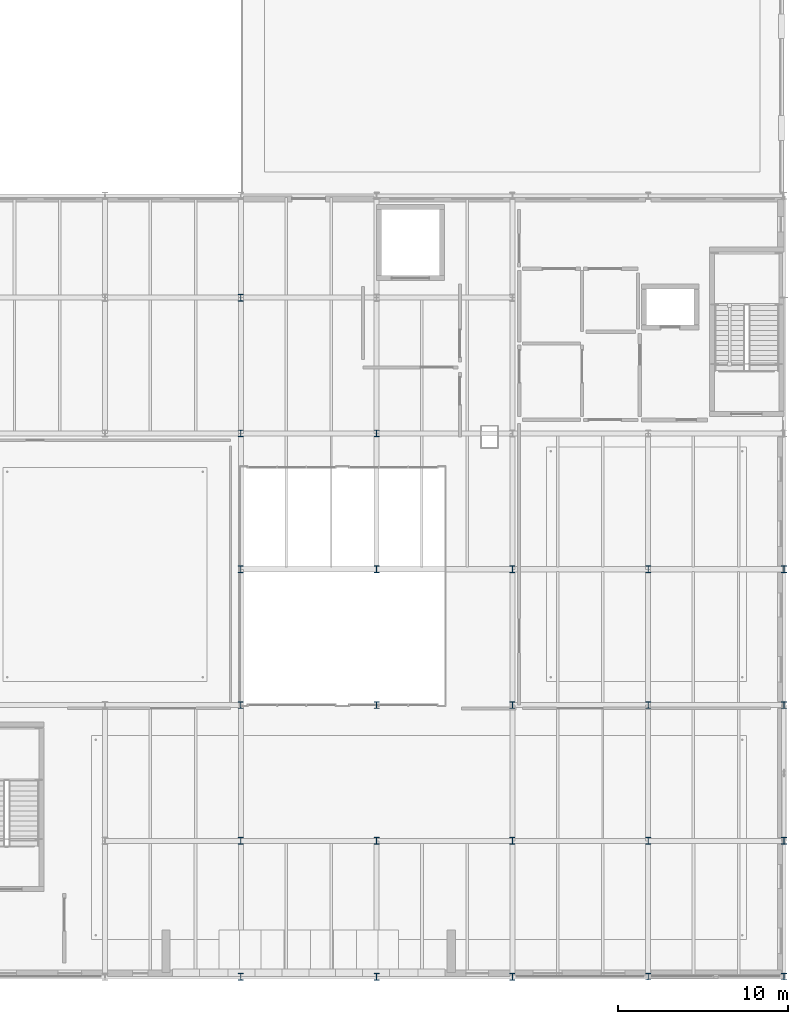
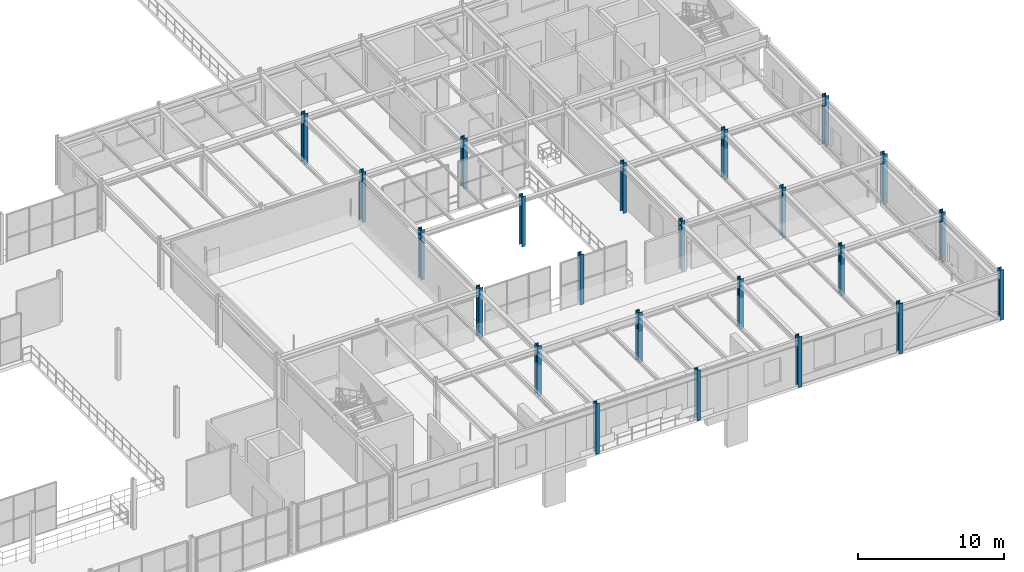
# One storey, part 10 of 67: 23 columns.
"""IFC4 building model written with IfcOpenShell, lengths in metres."""

import ifcopenshell
import ifcopenshell.guid

model = None  # the IFC model being written
_history = None  # IfcOwnerHistory: only IFC2X3 demands one
_inside = {}  # id of a spatial element -> (the spatial element, [elements in it])
_under = {}  # id of a project, library or spatial element -> (it, [spatial elements below it])
_declared = {}  # id of a project -> (the project, [libraries it declares])
_typed = {}  # id of a type object -> (the type object, [elements of that type])
_made_of = {}  # id of a material, layer set ... -> (it, [elements and type objects made of it])


def new_model(schema):
    """Start an empty IFC model of exactly this schema.

    Asked for "IFC4X3", IfcOpenShell would pick the latest addendum, in which some entities
    have other attributes; the version numbers below select the first issue.
    IFC2X3 requires an IfcOwnerHistory on every rooted entity: one is made here for all.
    """
    global model, _history
    if schema == "IFC4X3":
        model = ifcopenshell.file(schema_version=(4, 3, 0, 0))
    else:
        model = ifcopenshell.file(schema=schema)
    _inside.clear()
    _under.clear()
    _declared.clear()
    _typed.clear()
    _made_of.clear()
    _history = None
    if model.schema == "IFC2X3":
        org = make("IfcOrganization", Name="unknown")
        user = make(
            "IfcPersonAndOrganization",
            ThePerson=make("IfcPerson", FamilyName="unknown"),
            TheOrganization=org,
        )
        app = make(
            "IfcApplication",
            ApplicationDeveloper=org,
            Version="unknown",
            ApplicationFullName="unknown",
            ApplicationIdentifier="unknown",
        )
        _history = make(
            "IfcOwnerHistory",
            OwningUser=user,
            OwningApplication=app,
            ChangeAction="ADDED",
            CreationDate=0,
        )
    return model


def make(cls, **values):
    """One entity of the class cls with the attributes given. An attribute that is None is left unset."""
    return model.create_entity(
        cls, **{name: value for name, value in values.items() if value is not None}
    )


def rooted(cls, **values):
    """An entity with a GlobalId (a new one), such as an element, a storey or a relation."""
    return make(cls, GlobalId=ifcopenshell.guid.new(), OwnerHistory=_history, **values)


def si_unit(unit_type, name, prefix=None):
    """IfcSIUnit, for example si_unit("LENGTHUNIT", "METRE", prefix="MILLI")."""
    return make("IfcSIUnit", UnitType=unit_type, Prefix=prefix, Name=name)


def assignment(units):
    """IfcUnitAssignment: the units of a project."""
    return None if units is None else make("IfcUnitAssignment", Units=units)


def point(xyz):
    """IfcCartesianPoint."""
    return None if xyz is None else make("IfcCartesianPoint", Coordinates=xyz)


def direction(xyz):
    """IfcDirection."""
    return None if xyz is None else make("IfcDirection", DirectionRatios=xyz)


def frame(location, z_axis=None, x_axis=None):
    """IfcAxis2Placement3D, a coordinate frame: its origin and axes. An axis left out is left unset."""
    return make(
        "IfcAxis2Placement3D",
        Location=point(location),
        Axis=direction(z_axis),
        RefDirection=direction(x_axis),
    )


def frame_2d(location, x_axis=None):
    """IfcAxis2Placement2D, a coordinate frame in the plane: its origin and x axis."""
    return make(
        "IfcAxis2Placement2D", Location=point(location), RefDirection=direction(x_axis)
    )


def origin():
    """The frame at (0, 0, 0) with its axes left unset."""
    return frame((0.0, 0.0, 0.0))


def origin_2d():
    """The frame at (0, 0) in the plane with its x axis left unset."""
    return frame_2d((0.0, 0.0))


def place(relative_to, where):
    """IfcLocalPlacement: puts the frame where relative to a parent placement (None: the world)."""
    return make(
        "IfcLocalPlacement", PlacementRelTo=relative_to, RelativePlacement=where
    )


def context(
    kind, dimensions, precision=None, world=None, true_north=None, identifier=None
):
    """IfcGeometricRepresentationContext, for example the 3D "Model" context."""
    return make(
        "IfcGeometricRepresentationContext",
        ContextIdentifier=identifier,
        ContextType=kind,
        CoordinateSpaceDimension=dimensions,
        Precision=precision,
        WorldCoordinateSystem=world,
        TrueNorth=true_north,
    )


def subcontext(parent, identifier, kind, view, scale=None):
    """IfcGeometricRepresentationSubContext, for example "Body" below "Model"."""
    return make(
        "IfcGeometricRepresentationSubContext",
        ContextIdentifier=identifier,
        ContextType=kind,
        ParentContext=parent,
        TargetScale=scale,
        TargetView=view,
    )


def project(units=None, contexts=None):
    """IfcProject with its units and contexts."""
    return rooted(
        "IfcProject",
        Name="project",
        RepresentationContexts=contexts,
        UnitsInContext=assignment(units),
    )


def spatial(cls, under=None, at=None, **own):
    """A site, building, storey or space (cls), placed at a placement, below another one or the project."""
    s = rooted(cls, ObjectPlacement=at, **own)
    if under is not None:
        _under.setdefault(under.id(), (under, []))[1].append(s)
    return s


def profile(cls, at=None, kind="AREA", **sizes):
    """A parametric profile (cls). Its sizes go by their IFC names, for example OverallWidth=200.0."""
    return make(cls, ProfileType=kind, Position=at, **sizes)


def i_section(**sizes):
    """IfcIShapeProfileDef."""
    return profile("IfcIShapeProfileDef", **sizes)


def extrude(swept, where, along, depth):
    """IfcExtrudedAreaSolid: the profile swept, set in the frame where, extruded along a direction by depth."""
    return make(
        "IfcExtrudedAreaSolid",
        SweptArea=swept,
        Position=where,
        ExtrudedDirection=direction(along),
        Depth=depth,
    )


def shape(context_of_items, identifier, shape_type, items):
    """IfcShapeRepresentation: the items that make up one representation, for example the "Body"."""
    return make(
        "IfcShapeRepresentation",
        ContextOfItems=context_of_items,
        RepresentationIdentifier=identifier,
        RepresentationType=shape_type,
        Items=items,
    )


def material(Name=None, Category=None):
    """IfcMaterial."""
    return make("IfcMaterial", Name=Name, Category=Category)


def material_profile(
    of_material, cross_section, Name=None, Category=None, Priority=None
):
    """IfcMaterialProfile: a cross section and its material."""
    return make(
        "IfcMaterialProfile",
        Name=Name,
        Material=of_material,
        Profile=cross_section,
        Priority=Priority,
        Category=Category,
    )


def profile_set(profiles, Name=None, composite=None):
    """IfcMaterialProfileSet."""
    return make(
        "IfcMaterialProfileSet",
        Name=Name,
        MaterialProfiles=profiles,
        CompositeProfile=composite,
    )


def made_of(thing, what):
    """Note that an element or type object is made of a material, layer set ...; save() writes the relation."""
    if what is not None:
        _made_of.setdefault(what.id(), (what, []))[1].append(thing)
    return thing


def type_object(cls, material=None, **own):
    """A type object (cls), such as IfcWallType, which elements share."""
    return made_of(rooted(cls, **own), material)


def element(
    cls,
    number,
    at=None,
    inside=None,
    cuts=None,
    type_object=None,
    material=None,
    context=None,
    identifier="Body",
    shape_type=None,
    held_by="IfcProductDefinitionShape",
    body=None,
    shapes=None,
    **own,
):
    """One element of the class cls, such as IfcWall. Its Tag is "e" and its number.

    at: its placement. inside: the storey or other place that contains it. cuts: it is an
    opening in that element (IfcRelVoidsElement). A single representation is given by context,
    identifier, shape_type and body (its items); several are given by shapes. held_by: the class
    of the entity that holds the representations. save() writes the other relations.
    """
    e = rooted(cls, Tag="e%d" % number, ObjectPlacement=at, **own)
    if body is not None:
        shapes = [shape(context, identifier, shape_type, body)]
    if shapes is not None:
        e.Representation = make(held_by, Representations=shapes)
    if inside is not None:
        _inside.setdefault(inside.id(), (inside, []))[1].append(e)
    if cuts is not None:
        rooted(
            "IfcRelVoidsElement", RelatingBuildingElement=cuts, RelatedOpeningElement=e
        )
    if type_object is not None:
        _typed.setdefault(type_object.id(), (type_object, []))[1].append(e)
    return made_of(e, material)


def aggregate(whole, parts):
    """IfcRelAggregates: a whole, such as a stair, and the parts it consists of."""
    return rooted("IfcRelAggregates", RelatingObject=whole, RelatedObjects=parts)


def save(model, path):
    """Write the relations noted so far, then the file.

    IfcRelAggregates (storeys below a building ...), IfcRelContainedInSpatialStructure (elements
    in a storey), IfcRelDefinesByType, IfcRelAssociatesMaterial and IfcRelDeclares: one each for
    every whole, place, type object, material and project.
    """
    for whole, parts in _under.values():
        aggregate(whole, parts)
    for where, things in _inside.values():
        rooted(
            "IfcRelContainedInSpatialStructure",
            RelatedElements=things,
            RelatingStructure=where,
        )
    for kind, things in _typed.values():
        rooted("IfcRelDefinesByType", RelatedObjects=things, RelatingType=kind)
    for what, things in _made_of.values():
        rooted("IfcRelAssociatesMaterial", RelatedObjects=things, RelatingMaterial=what)
    for by, libraries in _declared.values():
        rooted("IfcRelDeclares", RelatingContext=by, RelatedDefinitions=libraries)
    model.write(path)


model = new_model("IFC4")

# Units and contexts
model_context = context("Model", 3, precision=1e-05, world=origin(), true_north=direction((0.0, 1.0)))
body_context = subcontext(model_context, "Body", "Model", "MODEL_VIEW")
ifc_project = project(units=[si_unit("LENGTHUNIT", "METRE"), si_unit("AREAUNIT", "SQUARE_METRE"), si_unit("VOLUMEUNIT", "CUBIC_METRE"), si_unit("PLANEANGLEUNIT", "RADIAN"), si_unit("MASSUNIT", "GRAM", prefix="KILO")], contexts=[model_context])

# Site, building, storey
site_placement = place(None, origin())
site = spatial("IfcSite", under=ifc_project, at=site_placement, CompositionType="ELEMENT")
building_placement = place(site_placement, origin())
building = spatial("IfcBuilding", under=site, at=building_placement, Name="Sundkrona Museum", CompositionType="ELEMENT")
storey_placement = place(building_placement, frame((0.0, 0.0, 21.800048828125)))
storey = spatial("IfcBuildingStorey", under=building, at=storey_placement, Name="L04", CompositionType="ELEMENT", Elevation=21.800048828125)

# Columns
ifc_material = material(Name="Steel S355J2", Category="steel")
ifc_material_profile = material_profile(ifc_material, i_section(OverallWidth=0.300048828125, OverallDepth=0.39990234375, WebThickness=0.013427734375, FlangeThickness=0.02392578125, FilletRadius=0.027099609375, at=origin_2d()), Name="HEB 400")
ifc_profile_set = profile_set([ifc_material_profile], Name="Steel S355J2")
column_type = type_object("IfcColumnType", Name="C-HEB400", PredefinedType="COLUMN", material=ifc_profile_set)
for number, where, z_axis, x_axis, name in (
    (1, (136.0, 0.0, 0.0), (0.0, 0.0, 1.0), (1.0, 0.0, 0.0), "L04 Column A/18"),
    (2, (136.0, 8.0, 0.0), (0.0, 0.0, 1.0), (1.0, 0.0, 0.0), "L04 Column B/18"),
    (3, (136.0, 16.0, 0.0), (0.0, 0.0, 1.0), (1.0, 0.0, 0.0), "L04 Column C/18"),
    (4, (136.0, 24.0, 0.0), (0.0, 0.0, 1.0), (1.0, 0.0, 0.0), "L04 Column D/18"),
    (5, (136.0, 32.0, 0.0), (0.0, 0.0, 1.0), (1.0, 0.0, 0.0), "L04 Column E/18"),
    (6, (136.0, 40.0, 0.0), (0.0, 0.0, 1.0), (1.0, 0.0, 0.0), "L04 Column F/18"),
    (7, (144.0, 0.0, 0.0), (0.0, 0.0, 1.0), (1.0, 0.0, 0.0), "L04 Column A/19"),
    (8, (144.0, 8.0, 0.0), (0.0, 0.0, 1.0), (1.0, 0.0, 0.0), "L04 Column B/19"),
    (9, (144.0, 16.0, 0.0), (0.0, 0.0, 1.0), (1.0, 0.0, 0.0), "L04 Column C/19"),
    (10, (144.0, 24.0, 0.0), (0.0, 0.0, 1.0), (1.0, 0.0, 0.0), "L04 Column D/19"),
    (11, (144.0, 32.0, 0.0), (0.0, 0.0, 1.0), (1.0, 0.0, 0.0), "L04 Column E/19"),
    (12, (152.0, 0.0, 0.0), (0.0, 0.0, 1.0), (1.0, 0.0, 0.0), "L04 Column A/20"),
    (13, (152.0, 8.0, 0.0), (0.0, 0.0, 1.0), (1.0, 0.0, 0.0), "L04 Column B/20"),
    (14, (152.0, 16.0, 0.0), (0.0, 0.0, 1.0), (1.0, 0.0, 0.0), "L04 Column C/20"),
    (15, (152.0, 24.0, 0.0), (0.0, 0.0, 1.0), (1.0, 0.0, 0.0), "L04 Column D/20"),
    (16, (160.0, 0.0, 0.0), (0.0, 0.0, 1.0), (1.0, 0.0, 0.0), "L04 Column A/21"),
    (17, (160.0, 8.0, 0.0), (0.0, 0.0, 1.0), (1.0, 0.0, 0.0), "L04 Column B/21"),
    (18, (160.0, 16.0, 0.0), (0.0, 0.0, 1.0), (1.0, 0.0, 0.0), "L04 Column C/21"),
    (19, (160.0, 24.0, 0.0), (0.0, 0.0, 1.0), (1.0, 0.0, 0.0), "L04 Column D/21"),
    (20, (168.0, 0.0, 0.0), (0.0, 0.0, 1.0), (1.0, 0.0, 0.0), "L04 Column A/22"),
    (21, (168.0, 8.0, 0.0), (0.0, 0.0, 1.0), (1.0, 0.0, 0.0), "L04 Column B/22"),
    (22, (168.0, 16.0, 0.0), (0.0, 0.0, 1.0), (1.0, 0.0, 0.0), "L04 Column C/22"),
    (23, (168.0, 24.0, 0.0), (0.0, 0.0, 1.0), (1.0, 0.0, 0.0), "L04 Column D/22"),
):
    element("IfcColumn", number, at=place(storey_placement, frame(where, z_axis=z_axis, x_axis=x_axis)), inside=storey, type_object=column_type, Name=name, PredefinedType="COLUMN", context=body_context, shape_type="SweptSolid", body=[
        extrude(i_section(OverallWidth=0.300048828125, OverallDepth=0.39990234375, WebThickness=0.013427734375, FlangeThickness=0.02392578125, FilletRadius=0.027099609375, at=origin_2d()), origin(), (0.0, 0.0, 1.0), 4.199951171875),
    ])

save(model, "model.ifc")
